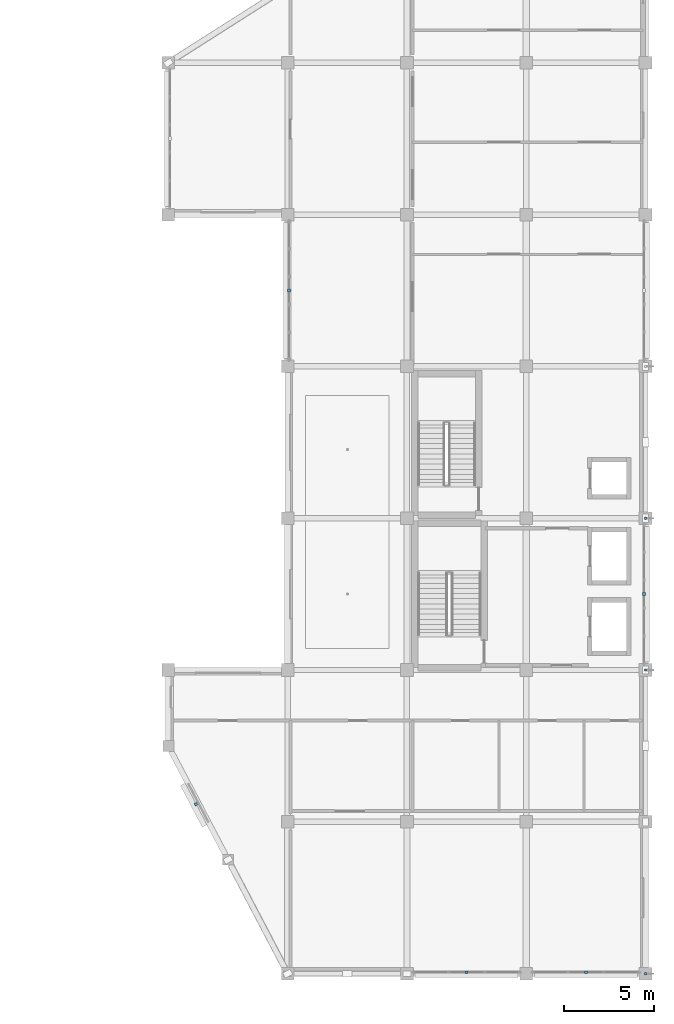
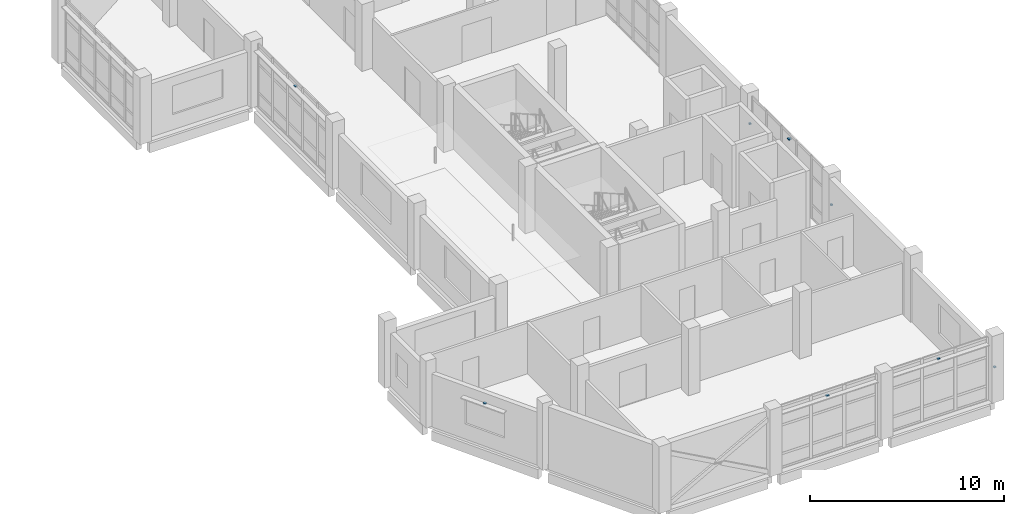
# One storey, part 68 of 78: 8 discrete accessories.
"""IFC4 building model written with IfcOpenShell, lengths in metres."""

from ifc_helpers import new_model, si_unit, direction, frame, origin, origin_2d, place, context, subcontext, project, spatial, rectangle, extrude, material, layer, layer_set, type_object, element, save


model = new_model("IFC4")

# Units and contexts
model_context = context("Model", 3, precision=1e-05, world=origin(), true_north=direction((0.0, 1.0)))
body_context = subcontext(model_context, "Body", "Model", "MODEL_VIEW")
ifc_project = project(units=[si_unit("LENGTHUNIT", "METRE"), si_unit("AREAUNIT", "SQUARE_METRE"), si_unit("VOLUMEUNIT", "CUBIC_METRE"), si_unit("PLANEANGLEUNIT", "RADIAN"), si_unit("MASSUNIT", "GRAM", prefix="KILO")], contexts=[model_context])

# Site, building, storey
site_placement = place(None, origin())
site = spatial("IfcSite", under=ifc_project, at=site_placement, CompositionType="ELEMENT")
building_placement = place(site_placement, origin())
building = spatial("IfcBuilding", under=site, at=building_placement, Name="Qaldarim Faculty of Natural and Applied Sciences", CompositionType="ELEMENT")
storey_placement = place(building_placement, frame((0.0, 0.0, 18.60009765625)))
storey = spatial("IfcBuildingStorey", under=building, at=storey_placement, Name="L04", CompositionType="ELEMENT", Elevation=18.60009765625)

# Discrete accessories
ifc_material = material(Name="Architectural stainless steel 316", Category="steel")
ifc_layer = layer(ifc_material, 0.080078125)
ifc_layer_set = layer_set([ifc_layer], Name="Architectural stainless steel 316")
discrete_accessory_type = type_object("IfcDiscreteAccessoryType", Name="FacadeBracket-SS120", PredefinedType="BRACKET", material=ifc_layer_set)
for number, where, z_axis, x_axis, name in (
    (1, (158.47998046875, 37.800048828125, 3.5498046875), (0.0, 0.0, 1.0), (0.0, 1.0, 0.0), "Solar louvre support bracket SHD-L04-W-X25Y05"),
    (2, (168.300048828125, 0.080078125, 3.5498046875), (0.0, 0.0, 1.0), (1.0, 0.0, 0.0), "Solar louvre support bracket SHD-L04-S-X26Y01"),
    (3, (174.89990234375, 0.080078125, 3.5498046875), (0.0, 0.0, 1.0), (1.0, 0.0, 0.0), "Solar louvre support bracket SHD-L04-S-X27Y01"),
    (4, (178.1201171875, 21.0, 3.5498046875), (0.0, 0.0, 1.0), (0.0, 1.0, 0.0), "Solar louvre support bracket SHD-L04-E-X27Y03"),
    (5, (153.324951171875, 9.385009765625, 2.659912109375), (0.0, 0.0, 1.0), (0.46447113214, -0.885588260654, 0.0), "Oblique solar louvre bracket SHD-OBL-SW-L04-1"),
):
    element("IfcDiscreteAccessory", number, at=place(storey_placement, frame(where, z_axis=z_axis, x_axis=x_axis)), inside=storey, type_object=discrete_accessory_type, Name=name, PredefinedType="BRACKET", context=body_context, shape_type="SweptSolid", body=[
        extrude(rectangle(XDim=0.159912109375, YDim=0.159912109375, at=origin_2d()), origin(), (0.0, 0.0, 1.0), 0.080078125),
    ])
for number, where, z_axis, x_axis, name in (
    (6, (178.199951171875, 0.0, 1.929931640625), (0.0, 0.0, 1.0), (1.0, 0.0, 0.0), "Tower fin bracket FIN-V5E-L04-Y01"),
    (7, (178.199951171875, 16.800048828125, 1.929931640625), (0.0, 0.0, 1.0), (1.0, 0.0, 0.0), "Tower fin bracket FIN-V5E-L04-Y03"),
    (8, (178.199951171875, 25.199951171875, 1.929931640625), (0.0, 0.0, 1.0), (1.0, 0.0, 0.0), "Tower fin bracket FIN-V5E-L04-Y04"),
):
    element("IfcDiscreteAccessory", number, at=place(storey_placement, frame(where, z_axis=z_axis, x_axis=x_axis)), inside=storey, type_object=discrete_accessory_type, Name=name, PredefinedType="BRACKET", context=body_context, shape_type="SweptSolid", body=[
        extrude(rectangle(XDim=0.1201171875, YDim=0.1201171875, at=origin_2d()), origin(), (0.0, 0.0, 1.0), 0.080078125),
    ])

save(model, "model.ifc")
